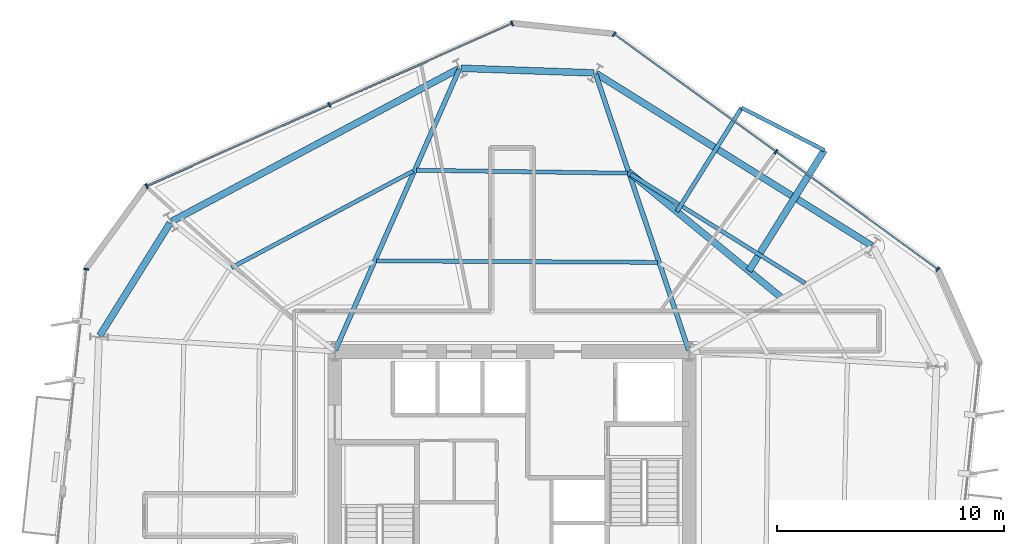
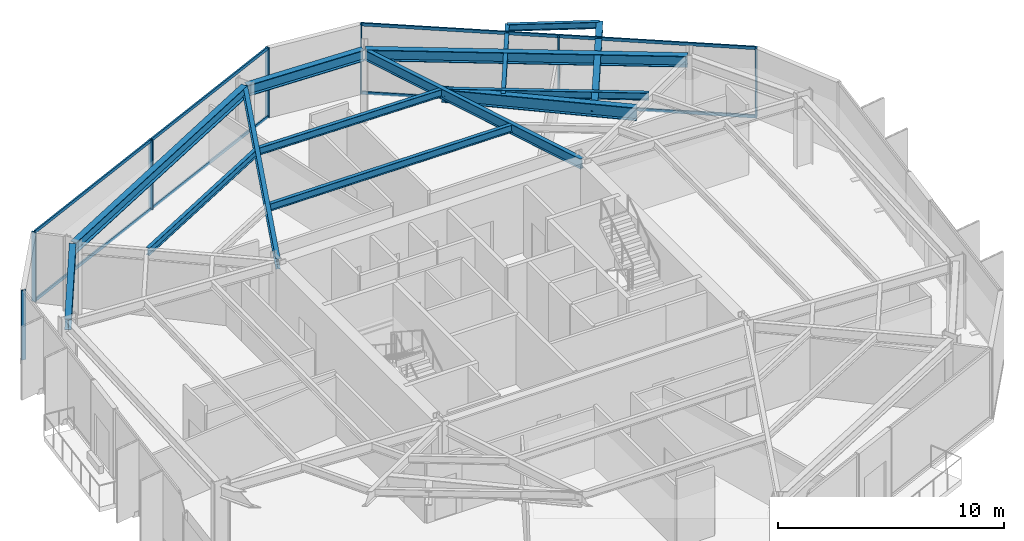
# One storey, part 5 of 13: 15 members, 14 beams, 3 elements without a shape of their own.
"""IFC4 building model written with IfcOpenShell, lengths in metres."""

import ifcopenshell
import ifcopenshell.guid

model = None  # the IFC model being written
_history = None  # IfcOwnerHistory: only IFC2X3 demands one
_inside = {}  # id of a spatial element -> (the spatial element, [elements in it])
_under = {}  # id of a project, library or spatial element -> (it, [spatial elements below it])
_declared = {}  # id of a project -> (the project, [libraries it declares])
_typed = {}  # id of a type object -> (the type object, [elements of that type])
_made_of = {}  # id of a material, layer set ... -> (it, [elements and type objects made of it])


def new_model(schema):
    """Start an empty IFC model of exactly this schema.

    Asked for "IFC4X3", IfcOpenShell would pick the latest addendum, in which some entities
    have other attributes; the version numbers below select the first issue.
    IFC2X3 requires an IfcOwnerHistory on every rooted entity: one is made here for all.
    """
    global model, _history
    if schema == "IFC4X3":
        model = ifcopenshell.file(schema_version=(4, 3, 0, 0))
    else:
        model = ifcopenshell.file(schema=schema)
    _inside.clear()
    _under.clear()
    _declared.clear()
    _typed.clear()
    _made_of.clear()
    _history = None
    if model.schema == "IFC2X3":
        org = make("IfcOrganization", Name="unknown")
        user = make(
            "IfcPersonAndOrganization",
            ThePerson=make("IfcPerson", FamilyName="unknown"),
            TheOrganization=org,
        )
        app = make(
            "IfcApplication",
            ApplicationDeveloper=org,
            Version="unknown",
            ApplicationFullName="unknown",
            ApplicationIdentifier="unknown",
        )
        _history = make(
            "IfcOwnerHistory",
            OwningUser=user,
            OwningApplication=app,
            ChangeAction="ADDED",
            CreationDate=0,
        )
    return model


def make(cls, **values):
    """One entity of the class cls with the attributes given. An attribute that is None is left unset."""
    return model.create_entity(
        cls, **{name: value for name, value in values.items() if value is not None}
    )


def rooted(cls, **values):
    """An entity with a GlobalId (a new one), such as an element, a storey or a relation."""
    return make(cls, GlobalId=ifcopenshell.guid.new(), OwnerHistory=_history, **values)


def si_unit(unit_type, name, prefix=None):
    """IfcSIUnit, for example si_unit("LENGTHUNIT", "METRE", prefix="MILLI")."""
    return make("IfcSIUnit", UnitType=unit_type, Prefix=prefix, Name=name)


def assignment(units):
    """IfcUnitAssignment: the units of a project."""
    return None if units is None else make("IfcUnitAssignment", Units=units)


def point(xyz):
    """IfcCartesianPoint."""
    return None if xyz is None else make("IfcCartesianPoint", Coordinates=xyz)


def direction(xyz):
    """IfcDirection."""
    return None if xyz is None else make("IfcDirection", DirectionRatios=xyz)


def frame(location, z_axis=None, x_axis=None):
    """IfcAxis2Placement3D, a coordinate frame: its origin and axes. An axis left out is left unset."""
    return make(
        "IfcAxis2Placement3D",
        Location=point(location),
        Axis=direction(z_axis),
        RefDirection=direction(x_axis),
    )


def frame_2d(location, x_axis=None):
    """IfcAxis2Placement2D, a coordinate frame in the plane: its origin and x axis."""
    return make(
        "IfcAxis2Placement2D", Location=point(location), RefDirection=direction(x_axis)
    )


def origin():
    """The frame at (0, 0, 0) with its axes left unset."""
    return frame((0.0, 0.0, 0.0))


def origin_2d():
    """The frame at (0, 0) in the plane with its x axis left unset."""
    return frame_2d((0.0, 0.0))


def place(relative_to, where):
    """IfcLocalPlacement: puts the frame where relative to a parent placement (None: the world)."""
    return make(
        "IfcLocalPlacement", PlacementRelTo=relative_to, RelativePlacement=where
    )


def context(
    kind, dimensions, precision=None, world=None, true_north=None, identifier=None
):
    """IfcGeometricRepresentationContext, for example the 3D "Model" context."""
    return make(
        "IfcGeometricRepresentationContext",
        ContextIdentifier=identifier,
        ContextType=kind,
        CoordinateSpaceDimension=dimensions,
        Precision=precision,
        WorldCoordinateSystem=world,
        TrueNorth=true_north,
    )


def subcontext(parent, identifier, kind, view, scale=None):
    """IfcGeometricRepresentationSubContext, for example "Body" below "Model"."""
    return make(
        "IfcGeometricRepresentationSubContext",
        ContextIdentifier=identifier,
        ContextType=kind,
        ParentContext=parent,
        TargetScale=scale,
        TargetView=view,
    )


def project(units=None, contexts=None):
    """IfcProject with its units and contexts."""
    return rooted(
        "IfcProject",
        Name="project",
        RepresentationContexts=contexts,
        UnitsInContext=assignment(units),
    )


def spatial(cls, under=None, at=None, **own):
    """A site, building, storey or space (cls), placed at a placement, below another one or the project."""
    s = rooted(cls, ObjectPlacement=at, **own)
    if under is not None:
        _under.setdefault(under.id(), (under, []))[1].append(s)
    return s


def profile(cls, at=None, kind="AREA", **sizes):
    """A parametric profile (cls). Its sizes go by their IFC names, for example OverallWidth=200.0."""
    return make(cls, ProfileType=kind, Position=at, **sizes)


def rectangle(**sizes):
    """IfcRectangleProfileDef."""
    return profile("IfcRectangleProfileDef", **sizes)


def i_section(**sizes):
    """IfcIShapeProfileDef."""
    return profile("IfcIShapeProfileDef", **sizes)


def extrude(swept, where, along, depth):
    """IfcExtrudedAreaSolid: the profile swept, set in the frame where, extruded along a direction by depth."""
    return make(
        "IfcExtrudedAreaSolid",
        SweptArea=swept,
        Position=where,
        ExtrudedDirection=direction(along),
        Depth=depth,
    )


def shape(context_of_items, identifier, shape_type, items):
    """IfcShapeRepresentation: the items that make up one representation, for example the "Body"."""
    return make(
        "IfcShapeRepresentation",
        ContextOfItems=context_of_items,
        RepresentationIdentifier=identifier,
        RepresentationType=shape_type,
        Items=items,
    )


def material(Name=None, Category=None):
    """IfcMaterial."""
    return make("IfcMaterial", Name=Name, Category=Category)


def layer(
    of_material, thickness, ventilated=None, Name=None, Category=None, Priority=None
):
    """IfcMaterialLayer: one layer of a wall or slab, of a material (None: an air gap)."""
    return make(
        "IfcMaterialLayer",
        Material=of_material,
        LayerThickness=thickness,
        IsVentilated=ventilated,
        Name=Name,
        Category=Category,
        Priority=Priority,
    )


def layer_set(layers, Name=None):
    """IfcMaterialLayerSet."""
    return make("IfcMaterialLayerSet", MaterialLayers=layers, LayerSetName=Name)


def material_profile(
    of_material, cross_section, Name=None, Category=None, Priority=None
):
    """IfcMaterialProfile: a cross section and its material."""
    return make(
        "IfcMaterialProfile",
        Name=Name,
        Material=of_material,
        Profile=cross_section,
        Priority=Priority,
        Category=Category,
    )


def profile_set(profiles, Name=None, composite=None):
    """IfcMaterialProfileSet."""
    return make(
        "IfcMaterialProfileSet",
        Name=Name,
        MaterialProfiles=profiles,
        CompositeProfile=composite,
    )


def made_of(thing, what):
    """Note that an element or type object is made of a material, layer set ...; save() writes the relation."""
    if what is not None:
        _made_of.setdefault(what.id(), (what, []))[1].append(thing)
    return thing


def type_object(cls, material=None, **own):
    """A type object (cls), such as IfcWallType, which elements share."""
    return made_of(rooted(cls, **own), material)


def element(
    cls,
    number,
    at=None,
    inside=None,
    cuts=None,
    type_object=None,
    material=None,
    context=None,
    identifier="Body",
    shape_type=None,
    held_by="IfcProductDefinitionShape",
    body=None,
    shapes=None,
    **own,
):
    """One element of the class cls, such as IfcWall. Its Tag is "e" and its number.

    at: its placement. inside: the storey or other place that contains it. cuts: it is an
    opening in that element (IfcRelVoidsElement). A single representation is given by context,
    identifier, shape_type and body (its items); several are given by shapes. held_by: the class
    of the entity that holds the representations. save() writes the other relations.
    """
    e = rooted(cls, Tag="e%d" % number, ObjectPlacement=at, **own)
    if body is not None:
        shapes = [shape(context, identifier, shape_type, body)]
    if shapes is not None:
        e.Representation = make(held_by, Representations=shapes)
    if inside is not None:
        _inside.setdefault(inside.id(), (inside, []))[1].append(e)
    if cuts is not None:
        rooted(
            "IfcRelVoidsElement", RelatingBuildingElement=cuts, RelatedOpeningElement=e
        )
    if type_object is not None:
        _typed.setdefault(type_object.id(), (type_object, []))[1].append(e)
    return made_of(e, material)


def aggregate(whole, parts):
    """IfcRelAggregates: a whole, such as a stair, and the parts it consists of."""
    return rooted("IfcRelAggregates", RelatingObject=whole, RelatedObjects=parts)


def save(model, path):
    """Write the relations noted so far, then the file.

    IfcRelAggregates (storeys below a building ...), IfcRelContainedInSpatialStructure (elements
    in a storey), IfcRelDefinesByType, IfcRelAssociatesMaterial and IfcRelDeclares: one each for
    every whole, place, type object, material and project.
    """
    for whole, parts in _under.values():
        aggregate(whole, parts)
    for where, things in _inside.values():
        rooted(
            "IfcRelContainedInSpatialStructure",
            RelatedElements=things,
            RelatingStructure=where,
        )
    for kind, things in _typed.values():
        rooted("IfcRelDefinesByType", RelatedObjects=things, RelatingType=kind)
    for what, things in _made_of.values():
        rooted("IfcRelAssociatesMaterial", RelatedObjects=things, RelatingMaterial=what)
    for by, libraries in _declared.values():
        rooted("IfcRelDeclares", RelatingContext=by, RelatedDefinitions=libraries)
    model.write(path)


model = new_model("IFC4")

# Units and contexts
model_context = context("Model", 3, precision=1e-05, world=origin(), true_north=direction((0.0, 1.0)))
body_context = subcontext(model_context, "Body", "Model", "MODEL_VIEW")
ifc_project = project(units=[si_unit("LENGTHUNIT", "METRE"), si_unit("AREAUNIT", "SQUARE_METRE"), si_unit("VOLUMEUNIT", "CUBIC_METRE"), si_unit("PLANEANGLEUNIT", "RADIAN"), si_unit("MASSUNIT", "GRAM", prefix="KILO")], contexts=[model_context])

# Site, building, storey
site_placement = place(None, origin())
site = spatial("IfcSite", under=ifc_project, at=site_placement, CompositionType="ELEMENT")
building_placement = place(site_placement, origin())
building = spatial("IfcBuilding", under=site, at=building_placement, Name="Kranzbogen Civic Tower", CompositionType="ELEMENT")
storey_placement = place(building_placement, frame((0.0, 0.0, 118.39990234375)))
storey = spatial("IfcBuildingStorey", under=building, at=storey_placement, Name="L28", CompositionType="ELEMENT", Elevation=118.39990234375)

# Beam
ifc_material_1 = material(Name="Steel S355", Category="steel")
ifc_material_profile_1 = material_profile(ifc_material_1, i_section(OverallWidth=0.18994140625, OverallDepth=0.449951171875, WebThickness=0.009521484375, FlangeThickness=0.0146484375, at=origin_2d()), Name="IPE 450")
ifc_profile_set_1 = profile_set([ifc_material_profile_1], Name="Steel S355")
beam_type_1 = type_object("IfcBeamType", Name="Braced Terrace Edge Beam IPE 450", PredefinedType="BEAM", material=ifc_profile_set_1)
beam_1_placement = place(storey_placement, frame((32.258056640625, 38.360107421875, 3.525146484375), z_axis=(0.529876703445, 0.848074689603, 0.0), x_axis=(-0.848074689603, 0.529876703445, 0.0)))
element("IfcBeam", 1, at=beam_1_placement, inside=storey, type_object=beam_type_1, Name="L29 back-spanned terrace beam L29-TB1-2", PredefinedType="BEAM", context=body_context, shape_type="SweptSolid", body=[
    extrude(i_section(OverallWidth=0.18994140625, OverallDepth=0.449951171875, WebThickness=0.009521484375, FlangeThickness=0.0146484375, at=origin_2d()), origin(), (0.0, 0.0, 1.0), 5.38623046875),
])

# Curtain wall, members
ifc_material_2 = material(Name="Pale Anodised Aluminium", Category="aluminium")
ifc_layer = layer(ifc_material_2, 0.219970703125, Name="Pale Anodised Aluminium")
ifc_layer_set = layer_set([ifc_layer], Name="Pale Anodised Aluminium")
curtain_wall_type = type_object("IfcCurtainWallType", Name="Zone 2 Stick Curtain Wall System CW-03", PredefinedType="USERDEFINED", material=ifc_layer_set)
curtain_wall_1_placement = place(storey_placement, origin())
curtain_wall_1 = element("IfcCurtainWall", 2, at=curtain_wall_1_placement, inside=storey, type_object=curtain_wall_type, Name="L28 curtain wall CW-L28-F1", ObjectType="STICK CURTAIN WALL", PredefinedType="USERDEFINED")
ifc_material_profile_2 = material_profile(ifc_material_2, rectangle(XDim=0.074951171875, YDim=0.219970703125, at=origin_2d()), Name="ALU-M 75x220")
ifc_profile_set_2 = profile_set([ifc_material_profile_2], Name="Pale Anodised Aluminium")
member_type_1 = type_object("IfcMemberType", Name="Curtain Wall Mullion ALU-M 75x220", PredefinedType="MULLION", material=ifc_profile_set_2)
member_1_placement = place(storey_placement, frame((43.74462890625, 35.820556640625, 0.0), z_axis=(0.0, 0.0, 1.0), x_axis=(-0.808995433377, 0.587814927315, 0.0)))
member_1 = element("IfcMember", 3, at=member_1_placement, type_object=member_type_1, Name="CW-03 mullion 1", PredefinedType="MULLION", context=body_context, shape_type="SweptSolid", body=[
    extrude(rectangle(XDim=0.074951171875, YDim=0.219970703125, at=origin_2d()), origin(), (0.0, 0.0, 1.0), 3.760009765625),
])
member_2_placement = place(storey_placement, frame((36.6220703125, 40.99609375, 0.0), z_axis=(0.0, 0.0, 1.0), x_axis=(-0.808995433377, 0.587814927315, 0.0)))
member_2 = element("IfcMember", 4, at=member_2_placement, type_object=member_type_1, Name="CW-03 mullion 2", PredefinedType="MULLION", context=body_context, shape_type="SweptSolid", body=[
    extrude(rectangle(XDim=0.074951171875, YDim=0.219970703125, at=origin_2d()), origin(), (0.0, 0.0, 1.0), 3.760009765625),
])
member_3_placement = place(storey_placement, frame((29.499267578125, 46.17138671875, 0.0), z_axis=(0.0, 0.0, 1.0), x_axis=(-0.808995433377, 0.587814927315, 0.0)))
member_3 = element("IfcMember", 5, at=member_3_placement, type_object=member_type_1, Name="CW-03 mullion 3", PredefinedType="MULLION", context=body_context, shape_type="SweptSolid", body=[
    extrude(rectangle(XDim=0.074951171875, YDim=0.219970703125, at=origin_2d()), origin(), (0.0, 0.0, 1.0), 3.760009765625),
])

curtain_wall_2_placement = place(storey_placement, origin())
curtain_wall_2 = element("IfcCurtainWall", 6, at=curtain_wall_2_placement, inside=storey, type_object=curtain_wall_type, Name="L28 curtain wall CW-L28-F2", ObjectType="STICK CURTAIN WALL", PredefinedType="USERDEFINED")
member_4_placement = place(storey_placement, frame((25.00048828125, 46.643798828125, 0.0), z_axis=(0.0, 0.0, 1.0), x_axis=(-0.913533600789, -0.406763272961, 0.0)))
member_4 = element("IfcMember", 7, at=member_4_placement, type_object=member_type_1, Name="CW-03 mullion 1", PredefinedType="MULLION", context=body_context, shape_type="SweptSolid", body=[
    extrude(rectangle(XDim=0.074951171875, YDim=0.219970703125, at=origin_2d()), origin(), (0.0, 0.0, 1.0), 3.760009765625),
])
member_5_placement = place(storey_placement, frame((16.95751953125, 43.0625, 0.0), z_axis=(0.0, 0.0, 1.0), x_axis=(-0.913533600789, -0.406763272961, 0.0)))
member_5 = element("IfcMember", 8, at=member_5_placement, type_object=member_type_1, Name="CW-03 mullion 2", PredefinedType="MULLION", context=body_context, shape_type="SweptSolid", body=[
    extrude(rectangle(XDim=0.074951171875, YDim=0.219970703125, at=origin_2d()), origin(), (0.0, 0.0, 1.0), 3.760009765625),
])
member_6_placement = place(storey_placement, frame((8.914306640625, 39.481201171875, 0.0), z_axis=(0.0, 0.0, 1.0), x_axis=(-0.913533600789, -0.406763272961, 0.0)))
member_6 = element("IfcMember", 9, at=member_6_placement, type_object=member_type_1, Name="CW-03 mullion 3", PredefinedType="MULLION", context=body_context, shape_type="SweptSolid", body=[
    extrude(rectangle(XDim=0.074951171875, YDim=0.219970703125, at=origin_2d()), origin(), (0.0, 0.0, 1.0), 3.760009765625),
])

# Curtain wall, member
curtain_wall_3_placement = place(storey_placement, origin())
curtain_wall_3 = element("IfcCurtainWall", 10, at=curtain_wall_3_placement, inside=storey, type_object=curtain_wall_type, Name="L28 curtain wall CW-L28-F3-S1", ObjectType="STICK CURTAIN WALL", PredefinedType="USERDEFINED")
member_7_placement = place(storey_placement, frame((6.255859375, 35.8232421875, 0.0), z_axis=(0.0, 0.0, 1.0), x_axis=(-0.104534766048, -0.994521232899, 0.0)))
member_7 = element("IfcMember", 11, at=member_7_placement, type_object=member_type_1, Name="CW-03 mullion 1", PredefinedType="MULLION", context=body_context, shape_type="SweptSolid", body=[
    extrude(rectangle(XDim=0.074951171875, YDim=0.219970703125, at=origin_2d()), origin(), (0.0, 0.0, 1.0), 3.760009765625),
])
aggregate(curtain_wall_3, [member_7])

# Member
ifc_material_profile_3 = material_profile(ifc_material_2, rectangle(XDim=0.074951171875, YDim=0.1650390625, at=origin_2d()), Name="ALU-T 75x165")
ifc_profile_set_3 = profile_set([ifc_material_profile_3], Name="Pale Anodised Aluminium")
member_type_2 = type_object("IfcMemberType", Name="Curtain Wall Transom ALU-T 75x165", PredefinedType="USERDEFINED", material=ifc_profile_set_3)
member_8_placement = place(storey_placement, frame((43.720458984375, 35.83837890625, 0.030029296875), z_axis=(-0.809007651338, 0.587798111665, 0.0), x_axis=(-0.587798111665, -0.809007651338, 0.0)))
member_8 = element("IfcMember", 12, at=member_8_placement, type_object=member_type_2, Name="CW-03 transom 1.1", ObjectType="TRANSOM", PredefinedType="USERDEFINED", context=body_context, shape_type="SweptSolid", body=[
    extrude(rectangle(XDim=0.074951171875, YDim=0.1650390625, at=origin_2d()), origin(), (0.0, 0.0, 1.0), 8.744384765625),
])

member_9_placement = place(storey_placement, frame((43.720458984375, 35.83837890625, 3.72998046875), z_axis=(-0.809007651338, 0.587798111665, 0.0), x_axis=(-0.587798111665, -0.809007651338, 0.0)))
member_9 = element("IfcMember", 13, at=member_9_placement, type_object=member_type_2, Name="CW-03 transom 1.2", ObjectType="TRANSOM", PredefinedType="USERDEFINED", context=body_context, shape_type="SweptSolid", body=[
    extrude(rectangle(XDim=0.074951171875, YDim=0.1650390625, at=origin_2d()), origin(), (0.0, 0.0, 1.0), 8.744384765625),
])

member_10_placement = place(storey_placement, frame((36.59765625, 41.013671875, 0.030029296875), z_axis=(-0.8089943745, 0.587816384619, 0.0), x_axis=(-0.587816384619, -0.8089943745, 0.0)))
member_10 = element("IfcMember", 14, at=member_10_placement, type_object=member_type_2, Name="CW-03 transom 2.1", ObjectType="TRANSOM", PredefinedType="USERDEFINED", context=body_context, shape_type="SweptSolid", body=[
    extrude(rectangle(XDim=0.074951171875, YDim=0.1650390625, at=origin_2d()), origin(), (0.0, 0.0, 1.0), 8.744384765625),
])

member_11_placement = place(storey_placement, frame((36.59765625, 41.013671875, 3.72998046875), z_axis=(-0.8089943745, 0.587816384619, 0.0), x_axis=(-0.587816384619, -0.8089943745, 0.0)))
member_11 = element("IfcMember", 15, at=member_11_placement, type_object=member_type_2, Name="CW-03 transom 2.2", ObjectType="TRANSOM", PredefinedType="USERDEFINED", context=body_context, shape_type="SweptSolid", body=[
    extrude(rectangle(XDim=0.074951171875, YDim=0.1650390625, at=origin_2d()), origin(), (0.0, 0.0, 1.0), 8.744384765625),
])

aggregate(curtain_wall_1, [member_1, member_2, member_3, member_8, member_9, member_10, member_11])

member_12_placement = place(storey_placement, frame((24.97314453125, 46.631591796875, 0.030029296875), z_axis=(-0.913533864962, -0.406762679665, 0.0), x_axis=(0.406762679665, -0.913533864962, 0.0)))
member_12 = element("IfcMember", 16, at=member_12_placement, type_object=member_type_2, Name="CW-03 transom 1.1", ObjectType="TRANSOM", PredefinedType="USERDEFINED", context=body_context, shape_type="SweptSolid", body=[
    extrude(rectangle(XDim=0.074951171875, YDim=0.1650390625, at=origin_2d()), origin(), (0.0, 0.0, 1.0), 8.744384765625),
])

member_13_placement = place(storey_placement, frame((24.97314453125, 46.631591796875, 3.72998046875), z_axis=(-0.913533864962, -0.406762679665, 0.0), x_axis=(0.406762679665, -0.913533864962, 0.0)))
member_13 = element("IfcMember", 17, at=member_13_placement, type_object=member_type_2, Name="CW-03 transom 1.2", ObjectType="TRANSOM", PredefinedType="USERDEFINED", context=body_context, shape_type="SweptSolid", body=[
    extrude(rectangle(XDim=0.074951171875, YDim=0.1650390625, at=origin_2d()), origin(), (0.0, 0.0, 1.0), 8.744384765625),
])

member_14_placement = place(storey_placement, frame((16.93017578125, 43.05029296875, 0.030029296875), z_axis=(-0.913533864962, -0.406762679665, 0.0), x_axis=(0.406762679665, -0.913533864962, 0.0)))
member_14 = element("IfcMember", 18, at=member_14_placement, type_object=member_type_2, Name="CW-03 transom 2.1", ObjectType="TRANSOM", PredefinedType="USERDEFINED", context=body_context, shape_type="SweptSolid", body=[
    extrude(rectangle(XDim=0.074951171875, YDim=0.1650390625, at=origin_2d()), origin(), (0.0, 0.0, 1.0), 8.744384765625),
])

member_15_placement = place(storey_placement, frame((16.93017578125, 43.05029296875, 3.72998046875), z_axis=(-0.913533864962, -0.406762679665, 0.0), x_axis=(0.406762679665, -0.913533864962, 0.0)))
member_15 = element("IfcMember", 19, at=member_15_placement, type_object=member_type_2, Name="CW-03 transom 2.2", ObjectType="TRANSOM", PredefinedType="USERDEFINED", context=body_context, shape_type="SweptSolid", body=[
    extrude(rectangle(XDim=0.074951171875, YDim=0.1650390625, at=origin_2d()), origin(), (0.0, 0.0, 1.0), 8.744384765625),
])

aggregate(curtain_wall_2, [member_4, member_5, member_6, member_12, member_13, member_14, member_15])

# Beams
ifc_material_profile_4 = material_profile(ifc_material_1, i_section(OverallWidth=0.300048828125, OverallDepth=0.5, WebThickness=0.014404296875, FlangeThickness=0.028076171875, at=origin_2d()), Name="HEB 500")
ifc_profile_set_4 = profile_set([ifc_material_profile_4], Name="Steel S355")
beam_type_2 = type_object("IfcBeamType", Name="Perimeter Tube Spandrel Beam HEB 500", PredefinedType="SPANDREL", material=ifc_profile_set_4)
beam_2_placement = place(storey_placement, frame((35.429931640625, 35.7490234375, 3.5), z_axis=(0.530076019968, 0.847950124155, 0.0), x_axis=(-0.847950124155, 0.530076019968, 0.0)))
element("IfcBeam", 20, at=beam_2_placement, inside=storey, type_object=beam_type_2, Name="L29 back-spanned terrace beam L29-TB1-1", PredefinedType="SPANDREL", context=body_context, shape_type="SweptSolid", body=[
    extrude(i_section(OverallWidth=0.300048828125, OverallDepth=0.5, WebThickness=0.014404296875, FlangeThickness=0.028076171875, at=origin_2d()), origin(), (0.0, 0.0, 1.0), 6.263427734375),
])
ifc_material_profile_5 = material_profile(ifc_material_1, i_section(OverallWidth=0.300048828125, OverallDepth=0.60009765625, WebThickness=0.015380859375, FlangeThickness=0.030029296875, at=origin_2d()), Name="HEB 600")
ifc_profile_set_5 = profile_set([ifc_material_profile_5], Name="Steel S355")
beam_type_3 = type_object("IfcBeamType", Name="Perimeter Tube Spandrel Beam HEB 600", PredefinedType="SPANDREL", material=ifc_profile_set_5)
beam_3_placement = place(storey_placement, frame((40.8349609375, 36.861083984375, 3.460205078125), z_axis=(-0.848051101349, 0.52991445489, 0.0), x_axis=(-0.52991445489, -0.848051101349, 0.0)))
element("IfcBeam", 21, at=beam_3_placement, inside=storey, type_object=beam_type_3, Name="L28 perimeter spandrel beam 08", PredefinedType="SPANDREL", context=body_context, shape_type="SweptSolid", body=[
    extrude(i_section(OverallWidth=0.300048828125, OverallDepth=0.60009765625, WebThickness=0.015380859375, FlangeThickness=0.030029296875, at=origin_2d()), origin(), (0.0, 0.0, 1.0), 14.286865234375),
])
beam_4_placement = place(storey_placement, frame((28.60791015625, 44.466064453125, 3.460205078125), z_axis=(-0.999393148233, 0.03483296234, 0.0), x_axis=(-0.03483296234, -0.999393148233, 0.0)))
element("IfcBeam", 22, at=beam_4_placement, inside=storey, type_object=beam_type_3, Name="L28 perimeter spandrel beam 09", PredefinedType="SPANDREL", context=body_context, shape_type="SweptSolid", body=[
    extrude(i_section(OverallWidth=0.300048828125, OverallDepth=0.60009765625, WebThickness=0.015380859375, FlangeThickness=0.030029296875, at=origin_2d()), origin(), (0.0, 0.0, 1.0), 5.8525390625),
])
beam_5_placement = place(storey_placement, frame((22.64599609375, 44.64404296875, 3.460205078125), z_axis=(-0.882948194046, -0.469470432116, 0.0), x_axis=(0.469470432116, -0.882948194046, 0.0)))
element("IfcBeam", 23, at=beam_5_placement, inside=storey, type_object=beam_type_3, Name="L28 perimeter spandrel beam 10", PredefinedType="SPANDREL", context=body_context, shape_type="SweptSolid", body=[
    extrude(i_section(OverallWidth=0.300048828125, OverallDepth=0.60009765625, WebThickness=0.015380859375, FlangeThickness=0.030029296875, at=origin_2d()), origin(), (0.0, 0.0, 1.0), 14.28857421875),
])
beam_6_placement = place(storey_placement, frame((9.945068359375, 37.85693359375, 3.460205078125), z_axis=(-0.529863902903, -0.848082687242, 0.0), x_axis=(0.848082687242, -0.529863902903, 0.0)))
element("IfcBeam", 24, at=beam_6_placement, inside=storey, type_object=beam_type_3, Name="L28 perimeter spandrel beam 11", PredefinedType="SPANDREL", context=body_context, shape_type="SweptSolid", body=[
    extrude(i_section(OverallWidth=0.300048828125, OverallDepth=0.60009765625, WebThickness=0.015380859375, FlangeThickness=0.030029296875, at=origin_2d()), origin(), (0.0, 0.0, 1.0), 5.850830078125),
])
ifc_material_profile_6 = material_profile(ifc_material_1, i_section(OverallWidth=0.300048828125, OverallDepth=0.699951171875, WebThickness=0.01708984375, FlangeThickness=0.031982421875, at=origin_2d()), Name="HEB 700")
ifc_profile_set_6 = profile_set([ifc_material_profile_6], Name="Steel S355")
beam_type_4 = type_object("IfcBeamType", Name="Perimeter Tube Spandrel Beam HEB 700", PredefinedType="SPANDREL", material=ifc_profile_set_6)
beam_7_placement = place(storey_placement, frame((36.89404296875, 34.5439453125, 3.400146484375), z_axis=(-0.772133132713, 0.635460797663, 0.0), x_axis=(-0.635460797663, -0.772133132713, 0.0)))
element("IfcBeam", 25, at=beam_7_placement, inside=storey, type_object=beam_type_4, Name="L29 balcony back-span header girder L29-TB1", PredefinedType="SPANDREL", context=body_context, shape_type="SweptSolid", body=[
    extrude(i_section(OverallWidth=0.300048828125, OverallDepth=0.699951171875, WebThickness=0.01708984375, FlangeThickness=0.031982421875, at=origin_2d()), origin(), (0.0, 0.0, 1.0), 8.751220703125),
])
ifc_material_profile_7 = material_profile(ifc_material_1, i_section(OverallWidth=0.2099609375, OverallDepth=0.550048828125, WebThickness=0.010986328125, FlangeThickness=0.01708984375, at=origin_2d()), Name="IPE 550")
ifc_profile_set_7 = profile_set([ifc_material_profile_7], Name="Steel S355")
beam_type_5 = type_object("IfcBeamType", Name="Radial Tower Floor Girder IPE 550", PredefinedType="BEAM", material=ifc_profile_set_7)
beam_8_placement = place(storey_placement, frame((28.68701171875, 44.406982421875, 3.485107421875), z_axis=(0.319316617377, -0.947648087566, 0.0), x_axis=(0.947648087566, 0.319316617377, 0.0)))
element("IfcBeam", 26, at=beam_8_placement, inside=storey, type_object=beam_type_5, Name="L28 radial floor girder 09", PredefinedType="BEAM", context=body_context, shape_type="SweptSolid", body=[
    extrude(i_section(OverallWidth=0.2099609375, OverallDepth=0.550048828125, WebThickness=0.010986328125, FlangeThickness=0.01708984375, at=origin_2d()), origin(), (0.0, 0.0, 1.0), 12.821044921875),
])
beam_9_placement = place(storey_placement, frame((22.675048828125, 44.616943359375, 3.485107421875), z_axis=(-0.403459127705, -0.914997667905, 0.0), x_axis=(0.914997667905, -0.403459127705, 0.0)))
element("IfcBeam", 27, at=beam_9_placement, inside=storey, type_object=beam_type_5, Name="L28 radial floor girder 10", PredefinedType="BEAM", context=body_context, shape_type="SweptSolid", body=[
    extrude(i_section(OverallWidth=0.2099609375, OverallDepth=0.550048828125, WebThickness=0.010986328125, FlangeThickness=0.01708984375, at=origin_2d()), origin(), (0.0, 0.0, 1.0), 13.510498046875),
])
ifc_material_profile_8 = material_profile(ifc_material_1, i_section(OverallWidth=0.169921875, OverallDepth=0.360107421875, WebThickness=0.008056640625, FlangeThickness=0.0126953125, at=origin_2d()), Name="IPE 360")
ifc_profile_set_8 = profile_set([ifc_material_profile_8], Name="Steel S355")
beam_type_6 = type_object("IfcBeamType", Name="Secondary Composite Floor Joist IPE 360", PredefinedType="JOIST", material=ifc_profile_set_8)
beam_10_placement = place(storey_placement, frame((38.75, 41.06005859375, 3.570068359375), z_axis=(-0.889587998437, 0.456763826323, 0.0), x_axis=(-0.456763826323, -0.889587998437, 0.0)))
element("IfcBeam", 28, at=beam_10_placement, inside=storey, type_object=beam_type_6, Name="L29 terrace outer edge trimmer L29-TB1", PredefinedType="JOIST", context=body_context, shape_type="SweptSolid", body=[
    extrude(i_section(OverallWidth=0.169921875, OverallDepth=0.360107421875, WebThickness=0.008056640625, FlangeThickness=0.0126953125, at=origin_2d()), origin(), (0.0, 0.0, 1.0), 4.08935546875),
])
ifc_material_profile_9 = material_profile(ifc_material_1, i_section(OverallWidth=0.179931640625, OverallDepth=0.39990234375, WebThickness=0.008544921875, FlangeThickness=0.013427734375, at=origin_2d()), Name="IPE 400")
ifc_profile_set_9 = profile_set([ifc_material_profile_9], Name="Steel S355")
beam_type_7 = type_object("IfcBeamType", Name="Secondary Composite Floor Joist IPE 400", PredefinedType="JOIST", material=ifc_profile_set_9)
beam_11_placement = place(storey_placement, frame((37.906982421875, 35.205078125, 3.56005859375), z_axis=(-0.848025549308, 0.529955345026, 0.0), x_axis=(-0.529955345026, -0.848025549308, 0.0)))
element("IfcBeam", 29, at=beam_11_placement, inside=storey, type_object=beam_type_7, Name="L28 secondary floor joist 1.08", PredefinedType="JOIST", context=body_context, shape_type="SweptSolid", body=[
    extrude(i_section(OverallWidth=0.179931640625, OverallDepth=0.39990234375, WebThickness=0.008544921875, FlangeThickness=0.013427734375, at=origin_2d()), origin(), (0.0, 0.0, 1.0), 9.06103515625),
])
beam_12_placement = place(storey_placement, frame((30.075927734375, 40.050048828125, 3.56005859375), z_axis=(-0.999900525148, 0.014104602386, 0.0), x_axis=(-0.014104602386, -0.999900525148, 0.0)))
element("IfcBeam", 30, at=beam_12_placement, inside=storey, type_object=beam_type_7, Name="L28 secondary floor joist 1.09", PredefinedType="JOIST", context=body_context, shape_type="SweptSolid", body=[
    extrude(i_section(OverallWidth=0.179931640625, OverallDepth=0.39990234375, WebThickness=0.008544921875, FlangeThickness=0.013427734375, at=origin_2d()), origin(), (0.0, 0.0, 1.0), 9.27783203125),
])
beam_13_placement = place(storey_placement, frame((31.39794921875, 36.125, 3.56005859375), z_axis=(-0.999985774147, 0.005333995002, 0.0), x_axis=(-0.005333995002, -0.999985774147, 0.0)))
element("IfcBeam", 31, at=beam_13_placement, inside=storey, type_object=beam_type_7, Name="L28 secondary floor joist 2.09", PredefinedType="JOIST", context=body_context, shape_type="SweptSolid", body=[
    extrude(i_section(OverallWidth=0.179931640625, OverallDepth=0.39990234375, WebThickness=0.008544921875, FlangeThickness=0.013427734375, at=origin_2d()), origin(), (0.0, 0.0, 1.0), 12.358154296875),
])
beam_14_placement = place(storey_placement, frame((20.64892578125, 40.14501953125, 3.56005859375), z_axis=(-0.882960787661, -0.469446746131, 0.0), x_axis=(0.469446746131, -0.882960787661, 0.0)))
element("IfcBeam", 32, at=beam_14_placement, inside=storey, type_object=beam_type_7, Name="L28 secondary floor joist 1.10", PredefinedType="JOIST", context=body_context, shape_type="SweptSolid", body=[
    extrude(i_section(OverallWidth=0.179931640625, OverallDepth=0.39990234375, WebThickness=0.008544921875, FlangeThickness=0.013427734375, at=origin_2d()), origin(), (0.0, 0.0, 1.0), 9.0615234375),
])

save(model, "model.ifc")
